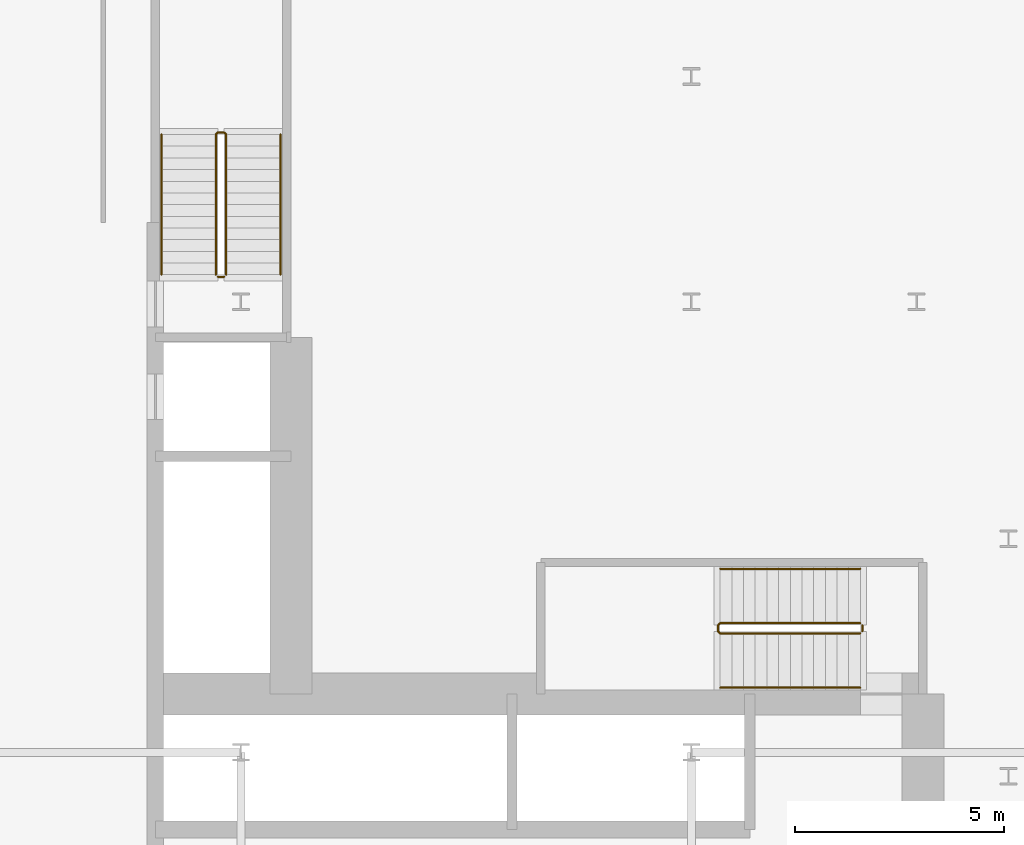
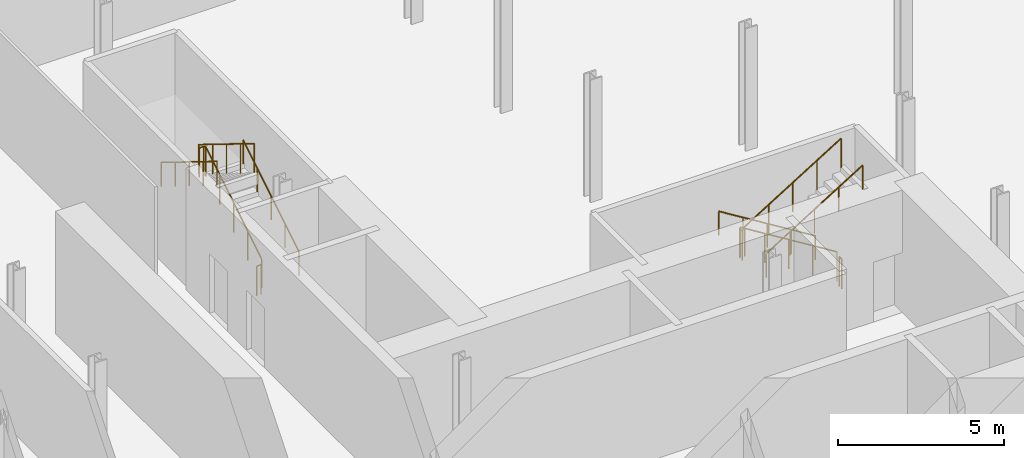
# One storey, part 40 of 47: 8 railings.
"""IFC4 building model written with IfcOpenShell, lengths in metres."""

from ifc_helpers import new_model, si_unit, direction, frame, origin, origin_2d, place, context, subcontext, project, spatial, circle, extrude, material, type_object, element, save


model = new_model("IFC4")

# Units and contexts
model_context = context("Model", 3, precision=1e-05, world=origin(), true_north=direction((0.0, 1.0)))
body_context = subcontext(model_context, "Body", "Model", "MODEL_VIEW")
ifc_project = project(units=[si_unit("LENGTHUNIT", "METRE"), si_unit("AREAUNIT", "SQUARE_METRE"), si_unit("VOLUMEUNIT", "CUBIC_METRE"), si_unit("PLANEANGLEUNIT", "RADIAN"), si_unit("MASSUNIT", "GRAM", prefix="KILO")], contexts=[model_context])

# Site, building, storey
site_placement = place(None, origin())
site = spatial("IfcSite", under=ifc_project, at=site_placement, CompositionType="ELEMENT")
building_placement = place(site_placement, origin())
building = spatial("IfcBuilding", under=site, at=building_placement, Name="Kheshtan School and Residences Tower", CompositionType="ELEMENT")
storey_placement = place(building_placement, frame((0.0, 0.0, 21.5)))
storey = spatial("IfcBuildingStorey", under=building, at=storey_placement, Name="L04", CompositionType="ELEMENT", Elevation=21.5)

# Railings
ifc_material_1 = material(Name="Stainless steel balustrade", Category="steel")
railing_type_1 = type_object("IfcRailingType", Name="Stair guard 1100", PredefinedType="GUARDRAIL", material=ifc_material_1)
railing_1_placement = place(storey_placement, frame((51.64990234375, 37.89990234375, 0.173095703125)))
element("IfcRailing", 1, at=railing_1_placement, inside=storey, type_object=railing_type_1, Name="L04 ST1 stair guard 1", PredefinedType="GUARDRAIL", context=body_context, shape_type="SweptSolid", body=[
    extrude(circle(Radius=0.02392578125, at=origin_2d()), frame((0.0, 0.0, 1.076171875), z_axis=(-0.850606129759, 0.0, 0.525803396734), x_axis=(0.0, -1.0, 0.0)), (0.0, 0.0, 1.0), 3.949951171875),
    extrude(circle(Radius=0.02392578125, at=origin_2d()), frame((-3.35986328125, 0.0, 3.15283203125), z_axis=(-0.708833529934, -0.705375805398, 0.0), x_axis=(0.705375805398, -0.708833529934, 0.0)), (0.0, 0.0, 1.0), 0.070556640625),
    extrude(circle(Radius=0.02392578125, at=origin_2d()), frame((-3.409912109375, -0.0498046875, 3.15283203125), z_axis=(0.0, -1.0, 0.0), x_axis=(1.0, 0.0, 0.0)), (0.0, 0.0, 1.0), 0.150146484375),
    extrude(circle(Radius=0.02392578125, at=origin_2d()), frame((-3.409912109375, -0.199951171875, 3.15283203125), z_axis=(0.267629722418, -0.267629722418, 0.925607186314), x_axis=(0.707106781187, 0.707106781187, 0.0)), (0.0, 0.0, 1.0), 0.18701171875),
    extrude(circle(Radius=0.02392578125, at=origin_2d()), frame((-3.35986328125, -0.25, 3.326171875), z_axis=(0.850606129759, 0.0, 0.525803396734), x_axis=(0.0, 1.0, 0.0)), (0.0, 0.0, 1.0), 3.949951171875),
    extrude(circle(Radius=0.02099609375, at=origin_2d()), origin(), (0.0, 0.0, 1.0), 1.052001953125),
    extrude(circle(Radius=0.02099609375, at=origin_2d()), frame((-0.83984375, 0.0, 0.519287109375)), (0.0, 0.0, 1.0), 1.052001953125),
    extrude(circle(Radius=0.02099609375, at=origin_2d()), frame((-1.679931640625, 0.0, 1.03857421875)), (0.0, 0.0, 1.0), 1.052001953125),
    extrude(circle(Radius=0.02099609375, at=origin_2d()), frame((-2.52001953125, 0.0, 1.5576171875)), (0.0, 0.0, 1.0), 1.052001953125),
    extrude(circle(Radius=0.02099609375, at=origin_2d()), frame((-3.35986328125, 0.0, 2.076904296875)), (0.0, 0.0, 1.0), 1.052001953125),
    extrude(circle(Radius=0.02099609375, at=origin_2d()), frame((-3.409912109375, -0.0498046875, 2.076904296875)), (0.0, 0.0, 1.0), 1.052001953125),
    extrude(circle(Radius=0.02099609375, at=origin_2d()), frame((-3.409912109375, -0.199951171875, 2.076904296875)), (0.0, 0.0, 1.0), 1.052001953125),
    extrude(circle(Radius=0.02099609375, at=origin_2d()), frame((-3.35986328125, -0.25, 2.25)), (0.0, 0.0, 1.0), 1.052001953125),
    extrude(circle(Radius=0.02099609375, at=origin_2d()), frame((-2.52001953125, -0.25, 2.769287109375)), (0.0, 0.0, 1.0), 1.052001953125),
    extrude(circle(Radius=0.02099609375, at=origin_2d()), frame((-1.679931640625, -0.25, 3.28857421875)), (0.0, 0.0, 1.0), 1.052001953125),
    extrude(circle(Radius=0.02099609375, at=origin_2d()), frame((-0.83984375, -0.25, 3.8076171875)), (0.0, 0.0, 1.0), 1.052001953125),
    extrude(circle(Radius=0.02099609375, at=origin_2d()), frame((0.0, -0.25, 4.326904296875)), (0.0, 0.0, 1.0), 1.052001953125),
])
railing_2_placement = place(storey_placement, frame((51.699951171875, 37.85009765625, 0.0)))
element("IfcRailing", 2, at=railing_2_placement, inside=storey, type_object=railing_type_1, Name="L04 ST1 stair guard 2", PredefinedType="GUARDRAIL", context=body_context, shape_type="SweptSolid", body=[
    extrude(circle(Radius=0.02392578125, at=origin_2d()), frame((0.0, 0.0, 1.076171875), z_axis=(0.0, -1.0, 0.0), x_axis=(1.0, 0.0, 0.0)), (0.0, 0.0, 1.0), 0.150146484375),
    extrude(circle(Radius=0.02099609375, at=origin_2d()), origin(), (0.0, 0.0, 1.0), 1.052001953125),
    extrude(circle(Radius=0.02099609375, at=origin_2d()), frame((0.0, -0.150146484375, 0.0)), (0.0, 0.0, 1.0), 1.052001953125),
])
railing_3_placement = place(storey_placement, frame((36.449951171875, 46.25, 0.173095703125)))
element("IfcRailing", 3, at=railing_3_placement, inside=storey, type_object=railing_type_1, Name="L04 ST2 stair guard 1", PredefinedType="GUARDRAIL", context=body_context, shape_type="SweptSolid", body=[
    extrude(circle(Radius=0.02392578125, at=origin_2d()), frame((0.0, 0.0, 1.076171875), z_axis=(0.0, 0.850623216509, 0.525775754039), x_axis=(-1.0, 0.0, 0.0)), (0.0, 0.0, 1.0), 3.9501953125),
    extrude(circle(Radius=0.02392578125, at=origin_2d()), frame((0.0, 3.360107421875, 3.15283203125), z_axis=(-0.708833529934, 0.705375805398, 0.0), x_axis=(-0.705375805398, -0.708833529934, 0.0)), (0.0, 0.0, 1.0), 0.070556640625),
    extrude(circle(Radius=0.02392578125, at=origin_2d()), frame((-0.050048828125, 3.409912109375, 3.15283203125), z_axis=(-1.0, 0.0, 0.0), x_axis=(0.0, -1.0, 0.0)), (0.0, 0.0, 1.0), 0.14990234375),
    extrude(circle(Radius=0.02392578125, at=origin_2d()), frame((-0.199951171875, 3.409912109375, 3.15283203125), z_axis=(-0.267723051232, -0.266417085129, 0.925929967433), x_axis=(0.705375805398, -0.708833529934, 0.0)), (0.0, 0.0, 1.0), 0.18701171875),
    extrude(circle(Radius=0.02392578125, at=origin_2d()), frame((-0.25, 3.360107421875, 3.326171875), z_axis=(0.0, -0.850623216509, 0.525775754039), x_axis=(1.0, 0.0, 0.0)), (0.0, 0.0, 1.0), 3.9501953125),
    extrude(circle(Radius=0.02099609375, at=origin_2d()), origin(), (0.0, 0.0, 1.0), 1.052001953125),
    extrude(circle(Radius=0.02099609375, at=origin_2d()), frame((0.0, 0.840087890625, 0.519287109375)), (0.0, 0.0, 1.0), 1.052001953125),
    extrude(circle(Radius=0.02099609375, at=origin_2d()), frame((0.0, 1.68017578125, 1.03857421875)), (0.0, 0.0, 1.0), 1.052001953125),
    extrude(circle(Radius=0.02099609375, at=origin_2d()), frame((0.0, 2.52001953125, 1.5576171875)), (0.0, 0.0, 1.0), 1.052001953125),
    extrude(circle(Radius=0.02099609375, at=origin_2d()), frame((0.0, 3.360107421875, 2.076904296875)), (0.0, 0.0, 1.0), 1.052001953125),
    extrude(circle(Radius=0.02099609375, at=origin_2d()), frame((-0.050048828125, 3.409912109375, 2.076904296875)), (0.0, 0.0, 1.0), 1.052001953125),
    extrude(circle(Radius=0.02099609375, at=origin_2d()), frame((-0.199951171875, 3.409912109375, 2.076904296875)), (0.0, 0.0, 1.0), 1.052001953125),
    extrude(circle(Radius=0.02099609375, at=origin_2d()), frame((-0.25, 3.360107421875, 2.25)), (0.0, 0.0, 1.0), 1.052001953125),
    extrude(circle(Radius=0.02099609375, at=origin_2d()), frame((-0.25, 2.52001953125, 2.769287109375)), (0.0, 0.0, 1.0), 1.052001953125),
    extrude(circle(Radius=0.02099609375, at=origin_2d()), frame((-0.25, 1.68017578125, 3.28857421875)), (0.0, 0.0, 1.0), 1.052001953125),
    extrude(circle(Radius=0.02099609375, at=origin_2d()), frame((-0.25, 0.840087890625, 3.8076171875)), (0.0, 0.0, 1.0), 1.052001953125),
    extrude(circle(Radius=0.02099609375, at=origin_2d()), frame((-0.25, 0.0, 4.326904296875)), (0.0, 0.0, 1.0), 1.052001953125),
])
railing_4_placement = place(storey_placement, frame((36.39990234375, 46.199951171875, 0.0)))
element("IfcRailing", 4, at=railing_4_placement, inside=storey, type_object=railing_type_1, Name="L04 ST2 stair guard 2", PredefinedType="GUARDRAIL", context=body_context, shape_type="SweptSolid", body=[
    extrude(circle(Radius=0.02392578125, at=origin_2d()), frame((0.0, 0.0, 1.076171875), z_axis=(-1.0, 0.0, 0.0), x_axis=(0.0, -1.0, 0.0)), (0.0, 0.0, 1.0), 0.14990234375),
    extrude(circle(Radius=0.02099609375, at=origin_2d()), origin(), (0.0, 0.0, 1.0), 1.052001953125),
    extrude(circle(Radius=0.02099609375, at=origin_2d()), frame((-0.14990234375, 0.0, 0.0)), (0.0, 0.0, 1.0), 1.052001953125),
])
ifc_material_2 = material(Name="Stainless steel handrail", Category="steel")
railing_type_2 = type_object("IfcRailingType", Name="Stair handrail 900", PredefinedType="HANDRAIL", material=ifc_material_2)
railing_5_placement = place(storey_placement, frame((51.64990234375, 39.199951171875, 0.173095703125)))
element("IfcRailing", 5, at=railing_5_placement, inside=storey, type_object=railing_type_2, Name="L04 ST1 stair handrail 1", PredefinedType="HANDRAIL", context=body_context, shape_type="SweptSolid", body=[
    extrude(circle(Radius=0.02392578125, at=origin_2d()), frame((0.0, 0.0, 0.8759765625), z_axis=(-0.850606129759, 0.0, 0.525803396734), x_axis=(0.0, -1.0, 0.0)), (0.0, 0.0, 1.0), 3.949951171875),
    extrude(circle(Radius=0.02099609375, at=origin_2d()), origin(), (0.0, 0.0, 1.0), 0.851806640625),
    extrude(circle(Radius=0.02099609375, at=origin_2d()), frame((-0.83984375, 0.0, 0.519287109375)), (0.0, 0.0, 1.0), 0.851806640625),
    extrude(circle(Radius=0.02099609375, at=origin_2d()), frame((-1.679931640625, 0.0, 1.03857421875)), (0.0, 0.0, 1.0), 0.851806640625),
    extrude(circle(Radius=0.02099609375, at=origin_2d()), frame((-2.52001953125, 0.0, 1.5576171875)), (0.0, 0.0, 1.0), 0.851806640625),
    extrude(circle(Radius=0.02099609375, at=origin_2d()), frame((-3.35986328125, 0.0, 2.076904296875)), (0.0, 0.0, 1.0), 0.851806640625),
])
railing_6_placement = place(storey_placement, frame((48.2900390625, 36.35009765625, 2.423095703125)))
element("IfcRailing", 6, at=railing_6_placement, inside=storey, type_object=railing_type_2, Name="L04 ST1 stair handrail 2", PredefinedType="HANDRAIL", context=body_context, shape_type="SweptSolid", body=[
    extrude(circle(Radius=0.02392578125, at=origin_2d()), frame((0.0, 0.0, 0.8759765625), z_axis=(0.850606129759, 0.0, 0.525803396734), x_axis=(0.0, 1.0, 0.0)), (0.0, 0.0, 1.0), 3.949951171875),
    extrude(circle(Radius=0.02099609375, at=origin_2d()), origin(), (0.0, 0.0, 1.0), 0.851806640625),
    extrude(circle(Radius=0.02099609375, at=origin_2d()), frame((0.83984375, 0.0, 0.519287109375)), (0.0, 0.0, 1.0), 0.851806640625),
    extrude(circle(Radius=0.02099609375, at=origin_2d()), frame((1.679931640625, 0.0, 1.03857421875)), (0.0, 0.0, 1.0), 0.851806640625),
    extrude(circle(Radius=0.02099609375, at=origin_2d()), frame((2.52001953125, 0.0, 1.5576171875)), (0.0, 0.0, 1.0), 0.851806640625),
    extrude(circle(Radius=0.02099609375, at=origin_2d()), frame((3.35986328125, 0.0, 2.076904296875)), (0.0, 0.0, 1.0), 0.851806640625),
])
railing_7_placement = place(storey_placement, frame((37.75, 46.25, 0.173095703125)))
element("IfcRailing", 7, at=railing_7_placement, inside=storey, type_object=railing_type_2, Name="L04 ST2 stair handrail 1", PredefinedType="HANDRAIL", context=body_context, shape_type="SweptSolid", body=[
    extrude(circle(Radius=0.02392578125, at=origin_2d()), frame((0.0, 0.0, 0.8759765625), z_axis=(0.0, 0.850623216509, 0.525775754039), x_axis=(-1.0, 0.0, 0.0)), (0.0, 0.0, 1.0), 3.9501953125),
    extrude(circle(Radius=0.02099609375, at=origin_2d()), origin(), (0.0, 0.0, 1.0), 0.851806640625),
    extrude(circle(Radius=0.02099609375, at=origin_2d()), frame((0.0, 0.840087890625, 0.519287109375)), (0.0, 0.0, 1.0), 0.851806640625),
    extrude(circle(Radius=0.02099609375, at=origin_2d()), frame((0.0, 1.68017578125, 1.03857421875)), (0.0, 0.0, 1.0), 0.851806640625),
    extrude(circle(Radius=0.02099609375, at=origin_2d()), frame((0.0, 2.52001953125, 1.5576171875)), (0.0, 0.0, 1.0), 0.851806640625),
    extrude(circle(Radius=0.02099609375, at=origin_2d()), frame((0.0, 3.360107421875, 2.076904296875)), (0.0, 0.0, 1.0), 0.851806640625),
])
railing_8_placement = place(storey_placement, frame((34.89990234375, 49.610107421875, 2.423095703125)))
element("IfcRailing", 8, at=railing_8_placement, inside=storey, type_object=railing_type_2, Name="L04 ST2 stair handrail 2", PredefinedType="HANDRAIL", context=body_context, shape_type="SweptSolid", body=[
    extrude(circle(Radius=0.02392578125, at=origin_2d()), frame((0.0, 0.0, 0.8759765625), z_axis=(0.0, -0.850623216509, 0.525775754039), x_axis=(1.0, 0.0, 0.0)), (0.0, 0.0, 1.0), 3.9501953125),
    extrude(circle(Radius=0.02099609375, at=origin_2d()), origin(), (0.0, 0.0, 1.0), 0.851806640625),
    extrude(circle(Radius=0.02099609375, at=origin_2d()), frame((0.0, -0.840087890625, 0.519287109375)), (0.0, 0.0, 1.0), 0.851806640625),
    extrude(circle(Radius=0.02099609375, at=origin_2d()), frame((0.0, -1.68017578125, 1.03857421875)), (0.0, 0.0, 1.0), 0.851806640625),
    extrude(circle(Radius=0.02099609375, at=origin_2d()), frame((0.0, -2.52001953125, 1.5576171875)), (0.0, 0.0, 1.0), 0.851806640625),
    extrude(circle(Radius=0.02099609375, at=origin_2d()), frame((0.0, -3.360107421875, 2.076904296875)), (0.0, 0.0, 1.0), 0.851806640625),
])

save(model, "model.ifc")
